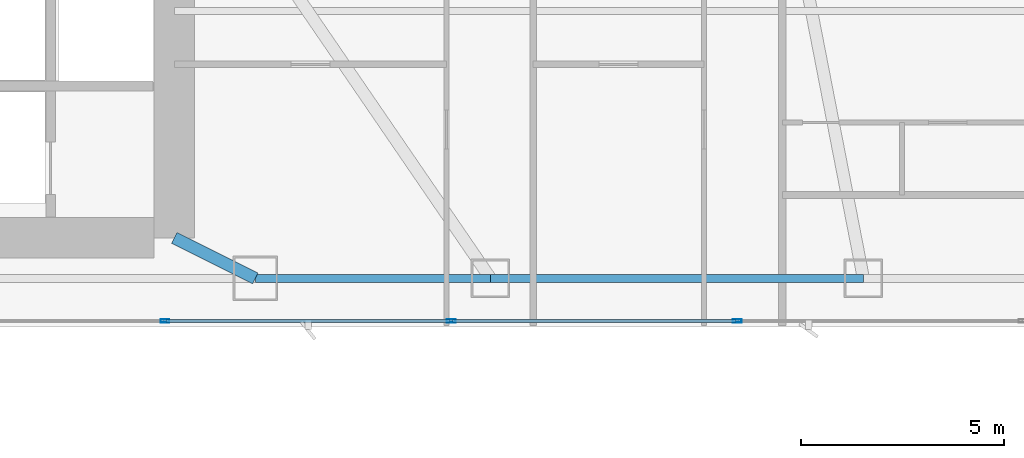
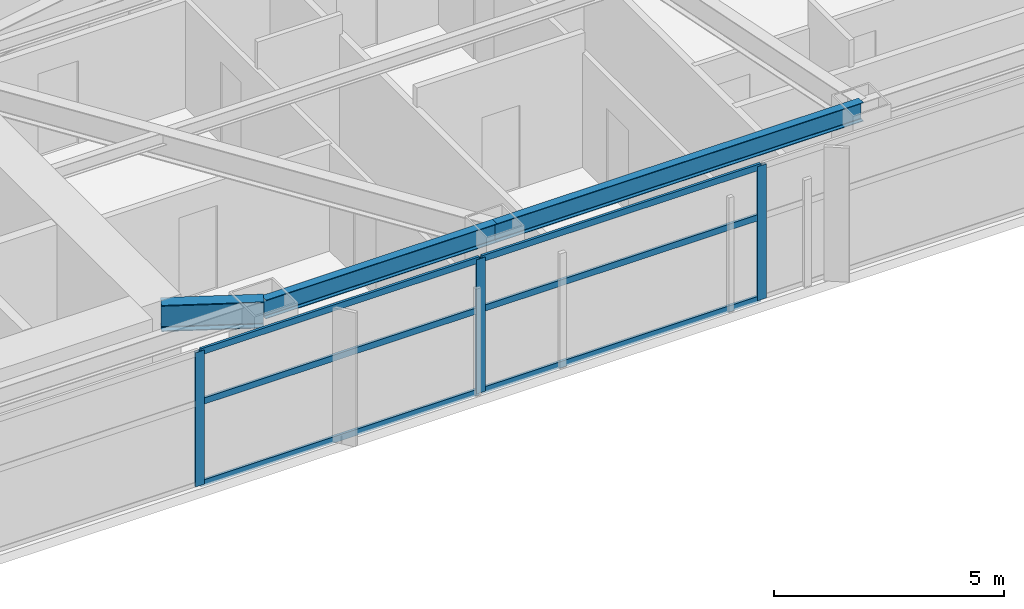
# One storey, part 12 of 29: 9 members, 3 beams, 1 element without a shape of its own.
"""IFC4 building model written with IfcOpenShell, lengths in metres."""

from ifc_helpers import new_model, si_unit, direction, frame, origin, origin_2d, place, context, subcontext, project, spatial, hollow_rectangle, i_section, extrude, material, layer, layer_set, material_profile, profile_set, type_object, element, aggregate, save


model = new_model("IFC4")

# Units and contexts
model_context = context("Model", 3, precision=1e-05, world=origin(), true_north=direction((0.0, 1.0)))
body_context = subcontext(model_context, "Body", "Model", "MODEL_VIEW")
ifc_project = project(units=[si_unit("LENGTHUNIT", "METRE"), si_unit("AREAUNIT", "SQUARE_METRE"), si_unit("VOLUMEUNIT", "CUBIC_METRE"), si_unit("PLANEANGLEUNIT", "RADIAN"), si_unit("MASSUNIT", "GRAM", prefix="KILO")], contexts=[model_context])

# Site, building, storey
site_placement = place(None, origin())
site = spatial("IfcSite", under=ifc_project, at=site_placement, CompositionType="ELEMENT")
building_placement = place(site_placement, origin())
building = spatial("IfcBuilding", under=site, at=building_placement, Name="Calvorn Quay Hotel", CompositionType="ELEMENT")
storey_placement = place(building_placement, frame((0.0, 0.0, 38.39990234375)))
storey = spatial("IfcBuildingStorey", under=building, at=storey_placement, Name="L08", CompositionType="ELEMENT", Elevation=38.39990234375)

# Beams
ifc_material_1 = material(Name="Steel Q390GJC", Category="steel")
ifc_material_profile_1 = material_profile(ifc_material_1, i_section(OverallWidth=0.300048828125, OverallDepth=0.699951171875, WebThickness=0.012939453125, FlangeThickness=0.02392578125, FilletRadius=0.02392578125, at=origin_2d()), Name="HN700x300x13x24")
ifc_profile_set_1 = profile_set([ifc_material_profile_1], Name="Steel Q390GJC")
beam_type_1 = type_object("IfcBeamType", Name="BM-GIRD-MAIN", PredefinedType="BEAM", material=ifc_profile_set_1)
beam_1_placement = place(storey_placement, frame((34.39990234375, 3.60009765625, 3.190185546875), z_axis=(-0.894427191, 0.4472135955, 0.0), x_axis=(-0.4472135955, -0.894427191, 0.0)))
element("IfcBeam", 1, at=beam_1_placement, inside=storey, type_object=beam_type_1, Name="Beam BG-L08-S3", PredefinedType="BEAM", context=body_context, shape_type="SweptSolid", body=[
    extrude(i_section(OverallWidth=0.300048828125, OverallDepth=0.699951171875, WebThickness=0.012939453125, FlangeThickness=0.02392578125, FilletRadius=0.02392578125, at=origin_2d()), origin(), (0.0, 0.0, 1.0), 2.236083984375),
])
ifc_material_2 = material(Name="Steel Q355B", Category="steel")
ifc_material_profile_2 = material_profile(ifc_material_2, i_section(OverallWidth=0.199951171875, OverallDepth=0.5, WebThickness=0.010009765625, FlangeThickness=0.01611328125, FilletRadius=0.01611328125, at=origin_2d()), Name="HN500x200x10x16")
ifc_profile_set_2 = profile_set([ifc_material_profile_2], Name="Steel Q355B")
beam_type_2 = type_object("IfcBeamType", Name="BM-SPANDREL-Z1", PredefinedType="SPANDREL", material=ifc_profile_set_2)
beam_2_placement = place(storey_placement, frame((34.39990234375, 3.60009765625, 3.2900390625), z_axis=(1.0, 0.0, 0.0), x_axis=(0.0, 1.0, 0.0)))
element("IfcBeam", 2, at=beam_2_placement, inside=storey, type_object=beam_type_2, Name="Beam BSP-L08-S4", PredefinedType="SPANDREL", context=body_context, shape_type="SweptSolid", body=[
    extrude(i_section(OverallWidth=0.199951171875, OverallDepth=0.5, WebThickness=0.010009765625, FlangeThickness=0.01611328125, FilletRadius=0.01611328125, at=origin_2d()), origin(), (0.0, 0.0, 1.0), 5.800048828125),
])
beam_3_placement = place(storey_placement, frame((40.199951171875, 3.60009765625, 3.2900390625), z_axis=(1.0, 0.0, 0.0), x_axis=(0.0, 1.0, 0.0)))
element("IfcBeam", 3, at=beam_3_placement, inside=storey, type_object=beam_type_2, Name="Beam BSP-L08-S5", PredefinedType="SPANDREL", context=body_context, shape_type="SweptSolid", body=[
    extrude(i_section(OverallWidth=0.199951171875, OverallDepth=0.5, WebThickness=0.010009765625, FlangeThickness=0.01611328125, FilletRadius=0.01611328125, at=origin_2d()), origin(), (0.0, 0.0, 1.0), 9.199951171875),
])

# Curtain wall, members
ifc_material_3 = material(Name="Pale Anodised Aluminium and Low-E Glass", Category="aluminium")
ifc_layer = layer(ifc_material_3, 0.219970703125)
ifc_layer_set = layer_set([ifc_layer], Name="CW-SYS-Z1")
curtain_wall_type = type_object("IfcCurtainWallType", Name="CW-SYS-Z1", PredefinedType="NOTDEFINED", material=ifc_layer_set)
curtain_wall_placement = place(storey_placement, origin())
curtain_wall = element("IfcCurtainWall", 4, at=curtain_wall_placement, inside=storey, type_object=curtain_wall_type, Name="Tower South Waterfront Curtain Wall (L08)", PredefinedType="NOTDEFINED")
ifc_material_4 = material(Name="Pale Anodised Aluminium 6063-T6", Category="aluminium")
ifc_material_profile_3 = material_profile(ifc_material_4, hollow_rectangle(XDim=0.074951171875, YDim=0.219970703125, WallThickness=0.00439453125, at=origin_2d()), Name="ALU-M220x75x4.5")
ifc_profile_set_3 = profile_set([ifc_material_profile_3], Name="Pale Anodised Aluminium 6063-T6")
member_type_1 = type_object("IfcMemberType", Name="CW-SYS-Z1-MUL", PredefinedType="MULLION", material=ifc_profile_set_3)
member_1_placement = place(storey_placement, frame((32.17138671875, 2.550048828125, 0.0), z_axis=(0.0, 0.0, 1.0), x_axis=(0.0, 1.0, 0.0)))
member_1 = element("IfcMember", 5, at=member_1_placement, type_object=member_type_1, Name="CW-L08-S mullion 4", PredefinedType="MULLION", context=body_context, shape_type="SweptSolid", body=[
    extrude(hollow_rectangle(XDim=0.074951171875, YDim=0.219970703125, WallThickness=0.00439453125, at=origin_2d()), origin(), (0.0, 0.0, 1.0), 3.56005859375),
])
member_2_placement = place(storey_placement, frame((39.228515625, 2.550048828125, 0.0), z_axis=(0.0, 0.0, 1.0), x_axis=(0.0, 1.0, 0.0)))
member_2 = element("IfcMember", 6, at=member_2_placement, type_object=member_type_1, Name="CW-L08-S mullion 5", PredefinedType="MULLION", context=body_context, shape_type="SweptSolid", body=[
    extrude(hollow_rectangle(XDim=0.074951171875, YDim=0.219970703125, WallThickness=0.00439453125, at=origin_2d()), origin(), (0.0, 0.0, 1.0), 3.56005859375),
])
member_3_placement = place(storey_placement, frame((46.28564453125, 2.550048828125, 0.0), z_axis=(0.0, 0.0, 1.0), x_axis=(0.0, 1.0, 0.0)))
member_3 = element("IfcMember", 7, at=member_3_placement, type_object=member_type_1, Name="CW-L08-S mullion 6", PredefinedType="MULLION", context=body_context, shape_type="SweptSolid", body=[
    extrude(hollow_rectangle(XDim=0.074951171875, YDim=0.219970703125, WallThickness=0.00439453125, at=origin_2d()), origin(), (0.0, 0.0, 1.0), 3.56005859375),
])
ifc_material_5 = material(Name="Pale Anodised Aluminium 6063-T6", Category="aluminium")
ifc_material_profile_4 = material_profile(ifc_material_5, hollow_rectangle(XDim=0.06494140625, YDim=0.1650390625, WallThickness=0.00341796875, at=origin_2d()), Name="ALU-T165x65x3.5")
ifc_profile_set_4 = profile_set([ifc_material_profile_4], Name="Pale Anodised Aluminium 6063-T6")
member_type_2 = type_object("IfcMemberType", Name="CW-SYS-Z1-TRN", PredefinedType="USERDEFINED", material=ifc_profile_set_4)
member_4_placement = place(storey_placement, frame((32.201416015625, 2.550048828125, 0.030029296875), z_axis=(1.0, 0.0, 0.0), x_axis=(0.0, 1.0, 0.0)))
member_4 = element("IfcMember", 8, at=member_4_placement, type_object=member_type_2, Name="CW-L08-S transom 4.1", ObjectType="TRANSOM", PredefinedType="USERDEFINED", context=body_context, shape_type="SweptSolid", body=[
    extrude(hollow_rectangle(XDim=0.06494140625, YDim=0.1650390625, WallThickness=0.00341796875, at=origin_2d()), origin(), (0.0, 0.0, 1.0), 6.9970703125),
])
member_5_placement = place(storey_placement, frame((32.201416015625, 2.550048828125, 2.2001953125), z_axis=(1.0, 0.0, 0.0), x_axis=(0.0, 1.0, 0.0)))
member_5 = element("IfcMember", 9, at=member_5_placement, type_object=member_type_2, Name="CW-L08-S transom 4.2", ObjectType="TRANSOM", PredefinedType="USERDEFINED", context=body_context, shape_type="SweptSolid", body=[
    extrude(hollow_rectangle(XDim=0.06494140625, YDim=0.1650390625, WallThickness=0.00341796875, at=origin_2d()), origin(), (0.0, 0.0, 1.0), 6.9970703125),
])
member_6_placement = place(storey_placement, frame((32.201416015625, 2.550048828125, 3.530029296875), z_axis=(1.0, 0.0, 0.0), x_axis=(0.0, 1.0, 0.0)))
member_6 = element("IfcMember", 10, at=member_6_placement, type_object=member_type_2, Name="CW-L08-S transom 4.3", ObjectType="TRANSOM", PredefinedType="USERDEFINED", context=body_context, shape_type="SweptSolid", body=[
    extrude(hollow_rectangle(XDim=0.06494140625, YDim=0.1650390625, WallThickness=0.00341796875, at=origin_2d()), origin(), (0.0, 0.0, 1.0), 6.9970703125),
])
member_7_placement = place(storey_placement, frame((39.258544921875, 2.550048828125, 0.030029296875), z_axis=(1.0, 0.0, 0.0), x_axis=(0.0, 1.0, 0.0)))
member_7 = element("IfcMember", 11, at=member_7_placement, type_object=member_type_2, Name="CW-L08-S transom 5.1", ObjectType="TRANSOM", PredefinedType="USERDEFINED", context=body_context, shape_type="SweptSolid", body=[
    extrude(hollow_rectangle(XDim=0.06494140625, YDim=0.1650390625, WallThickness=0.00341796875, at=origin_2d()), origin(), (0.0, 0.0, 1.0), 6.9970703125),
])
member_8_placement = place(storey_placement, frame((39.258544921875, 2.550048828125, 2.2001953125), z_axis=(1.0, 0.0, 0.0), x_axis=(0.0, 1.0, 0.0)))
member_8 = element("IfcMember", 12, at=member_8_placement, type_object=member_type_2, Name="CW-L08-S transom 5.2", ObjectType="TRANSOM", PredefinedType="USERDEFINED", context=body_context, shape_type="SweptSolid", body=[
    extrude(hollow_rectangle(XDim=0.06494140625, YDim=0.1650390625, WallThickness=0.00341796875, at=origin_2d()), origin(), (0.0, 0.0, 1.0), 6.9970703125),
])
member_9_placement = place(storey_placement, frame((39.258544921875, 2.550048828125, 3.530029296875), z_axis=(1.0, 0.0, 0.0), x_axis=(0.0, 1.0, 0.0)))
member_9 = element("IfcMember", 13, at=member_9_placement, type_object=member_type_2, Name="CW-L08-S transom 5.3", ObjectType="TRANSOM", PredefinedType="USERDEFINED", context=body_context, shape_type="SweptSolid", body=[
    extrude(hollow_rectangle(XDim=0.06494140625, YDim=0.1650390625, WallThickness=0.00341796875, at=origin_2d()), origin(), (0.0, 0.0, 1.0), 6.9970703125),
])
aggregate(curtain_wall, [member_1, member_2, member_3, member_4, member_5, member_6, member_7, member_8, member_9])

save(model, "model.ifc")
